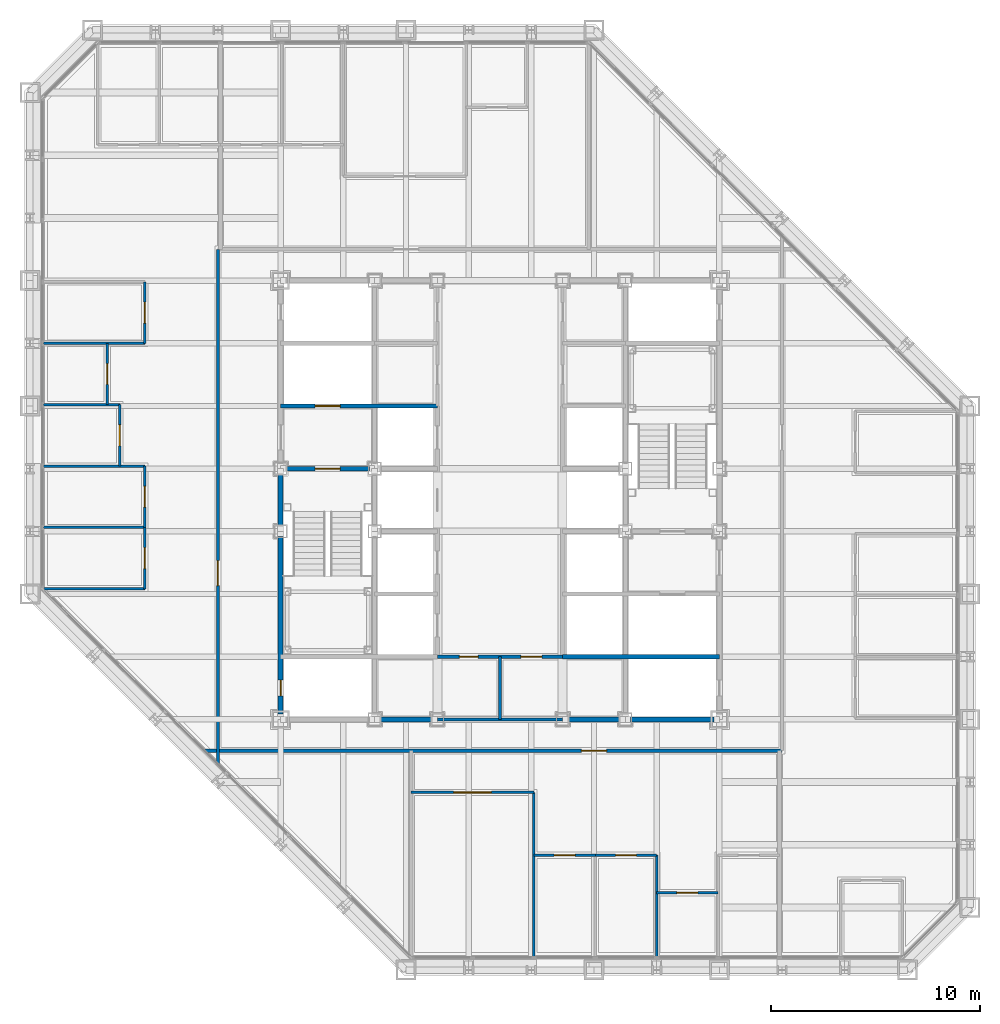
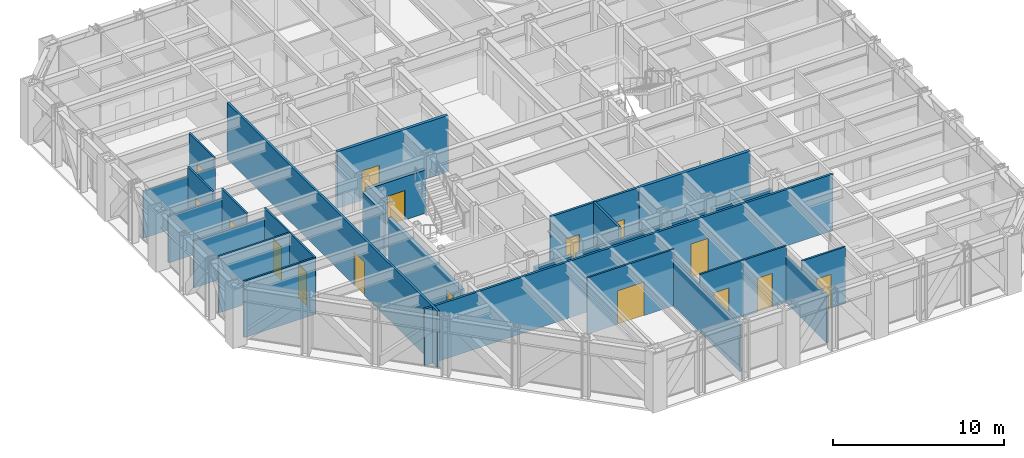
# One storey, part 10 of 16: 29 walls, 16 doors, 16 openings.
"""IFC4 building model written with IfcOpenShell, lengths in metres."""

import ifcopenshell
import ifcopenshell.guid

model = None  # the IFC model being written
_history = None  # IfcOwnerHistory: only IFC2X3 demands one
_inside = {}  # id of a spatial element -> (the spatial element, [elements in it])
_under = {}  # id of a project, library or spatial element -> (it, [spatial elements below it])
_declared = {}  # id of a project -> (the project, [libraries it declares])
_typed = {}  # id of a type object -> (the type object, [elements of that type])
_made_of = {}  # id of a material, layer set ... -> (it, [elements and type objects made of it])


def new_model(schema):
    """Start an empty IFC model of exactly this schema.

    Asked for "IFC4X3", IfcOpenShell would pick the latest addendum, in which some entities
    have other attributes; the version numbers below select the first issue.
    IFC2X3 requires an IfcOwnerHistory on every rooted entity: one is made here for all.
    """
    global model, _history
    if schema == "IFC4X3":
        model = ifcopenshell.file(schema_version=(4, 3, 0, 0))
    else:
        model = ifcopenshell.file(schema=schema)
    _inside.clear()
    _under.clear()
    _declared.clear()
    _typed.clear()
    _made_of.clear()
    _history = None
    if model.schema == "IFC2X3":
        org = make("IfcOrganization", Name="unknown")
        user = make(
            "IfcPersonAndOrganization",
            ThePerson=make("IfcPerson", FamilyName="unknown"),
            TheOrganization=org,
        )
        app = make(
            "IfcApplication",
            ApplicationDeveloper=org,
            Version="unknown",
            ApplicationFullName="unknown",
            ApplicationIdentifier="unknown",
        )
        _history = make(
            "IfcOwnerHistory",
            OwningUser=user,
            OwningApplication=app,
            ChangeAction="ADDED",
            CreationDate=0,
        )
    return model


def make(cls, **values):
    """One entity of the class cls with the attributes given. An attribute that is None is left unset."""
    return model.create_entity(
        cls, **{name: value for name, value in values.items() if value is not None}
    )


def rooted(cls, **values):
    """An entity with a GlobalId (a new one), such as an element, a storey or a relation."""
    return make(cls, GlobalId=ifcopenshell.guid.new(), OwnerHistory=_history, **values)


def si_unit(unit_type, name, prefix=None):
    """IfcSIUnit, for example si_unit("LENGTHUNIT", "METRE", prefix="MILLI")."""
    return make("IfcSIUnit", UnitType=unit_type, Prefix=prefix, Name=name)


def assignment(units):
    """IfcUnitAssignment: the units of a project."""
    return None if units is None else make("IfcUnitAssignment", Units=units)


def point(xyz):
    """IfcCartesianPoint."""
    return None if xyz is None else make("IfcCartesianPoint", Coordinates=xyz)


def direction(xyz):
    """IfcDirection."""
    return None if xyz is None else make("IfcDirection", DirectionRatios=xyz)


def frame(location, z_axis=None, x_axis=None):
    """IfcAxis2Placement3D, a coordinate frame: its origin and axes. An axis left out is left unset."""
    return make(
        "IfcAxis2Placement3D",
        Location=point(location),
        Axis=direction(z_axis),
        RefDirection=direction(x_axis),
    )


def frame_2d(location, x_axis=None):
    """IfcAxis2Placement2D, a coordinate frame in the plane: its origin and x axis."""
    return make(
        "IfcAxis2Placement2D", Location=point(location), RefDirection=direction(x_axis)
    )


def origin():
    """The frame at (0, 0, 0) with its axes left unset."""
    return frame((0.0, 0.0, 0.0))


def place(relative_to, where):
    """IfcLocalPlacement: puts the frame where relative to a parent placement (None: the world)."""
    return make(
        "IfcLocalPlacement", PlacementRelTo=relative_to, RelativePlacement=where
    )


def context(
    kind, dimensions, precision=None, world=None, true_north=None, identifier=None
):
    """IfcGeometricRepresentationContext, for example the 3D "Model" context."""
    return make(
        "IfcGeometricRepresentationContext",
        ContextIdentifier=identifier,
        ContextType=kind,
        CoordinateSpaceDimension=dimensions,
        Precision=precision,
        WorldCoordinateSystem=world,
        TrueNorth=true_north,
    )


def subcontext(parent, identifier, kind, view, scale=None):
    """IfcGeometricRepresentationSubContext, for example "Body" below "Model"."""
    return make(
        "IfcGeometricRepresentationSubContext",
        ContextIdentifier=identifier,
        ContextType=kind,
        ParentContext=parent,
        TargetScale=scale,
        TargetView=view,
    )


def project(units=None, contexts=None):
    """IfcProject with its units and contexts."""
    return rooted(
        "IfcProject",
        Name="project",
        RepresentationContexts=contexts,
        UnitsInContext=assignment(units),
    )


def spatial(cls, under=None, at=None, **own):
    """A site, building, storey or space (cls), placed at a placement, below another one or the project."""
    s = rooted(cls, ObjectPlacement=at, **own)
    if under is not None:
        _under.setdefault(under.id(), (under, []))[1].append(s)
    return s


def profile(cls, at=None, kind="AREA", **sizes):
    """A parametric profile (cls). Its sizes go by their IFC names, for example OverallWidth=200.0."""
    return make(cls, ProfileType=kind, Position=at, **sizes)


def rectangle(**sizes):
    """IfcRectangleProfileDef."""
    return profile("IfcRectangleProfileDef", **sizes)


def extrude(swept, where, along, depth):
    """IfcExtrudedAreaSolid: the profile swept, set in the frame where, extruded along a direction by depth."""
    return make(
        "IfcExtrudedAreaSolid",
        SweptArea=swept,
        Position=where,
        ExtrudedDirection=direction(along),
        Depth=depth,
    )


def shape(context_of_items, identifier, shape_type, items):
    """IfcShapeRepresentation: the items that make up one representation, for example the "Body"."""
    return make(
        "IfcShapeRepresentation",
        ContextOfItems=context_of_items,
        RepresentationIdentifier=identifier,
        RepresentationType=shape_type,
        Items=items,
    )


def material(Name=None, Category=None):
    """IfcMaterial."""
    return make("IfcMaterial", Name=Name, Category=Category)


def layer(
    of_material, thickness, ventilated=None, Name=None, Category=None, Priority=None
):
    """IfcMaterialLayer: one layer of a wall or slab, of a material (None: an air gap)."""
    return make(
        "IfcMaterialLayer",
        Material=of_material,
        LayerThickness=thickness,
        IsVentilated=ventilated,
        Name=Name,
        Category=Category,
        Priority=Priority,
    )


def layer_set(layers, Name=None):
    """IfcMaterialLayerSet."""
    return make("IfcMaterialLayerSet", MaterialLayers=layers, LayerSetName=Name)


def made_of(thing, what):
    """Note that an element or type object is made of a material, layer set ...; save() writes the relation."""
    if what is not None:
        _made_of.setdefault(what.id(), (what, []))[1].append(thing)
    return thing


def type_object(cls, material=None, **own):
    """A type object (cls), such as IfcWallType, which elements share."""
    return made_of(rooted(cls, **own), material)


def element(
    cls,
    number,
    at=None,
    inside=None,
    cuts=None,
    type_object=None,
    material=None,
    context=None,
    identifier="Body",
    shape_type=None,
    held_by="IfcProductDefinitionShape",
    body=None,
    shapes=None,
    **own,
):
    """One element of the class cls, such as IfcWall. Its Tag is "e" and its number.

    at: its placement. inside: the storey or other place that contains it. cuts: it is an
    opening in that element (IfcRelVoidsElement). A single representation is given by context,
    identifier, shape_type and body (its items); several are given by shapes. held_by: the class
    of the entity that holds the representations. save() writes the other relations.
    """
    e = rooted(cls, Tag="e%d" % number, ObjectPlacement=at, **own)
    if body is not None:
        shapes = [shape(context, identifier, shape_type, body)]
    if shapes is not None:
        e.Representation = make(held_by, Representations=shapes)
    if inside is not None:
        _inside.setdefault(inside.id(), (inside, []))[1].append(e)
    if cuts is not None:
        rooted(
            "IfcRelVoidsElement", RelatingBuildingElement=cuts, RelatedOpeningElement=e
        )
    if type_object is not None:
        _typed.setdefault(type_object.id(), (type_object, []))[1].append(e)
    return made_of(e, material)


def fill(opening, filler):
    """IfcRelFillsElement: the door or window that sits in an opening."""
    return rooted(
        "IfcRelFillsElement",
        RelatingOpeningElement=opening,
        RelatedBuildingElement=filler,
    )


def aggregate(whole, parts):
    """IfcRelAggregates: a whole, such as a stair, and the parts it consists of."""
    return rooted("IfcRelAggregates", RelatingObject=whole, RelatedObjects=parts)


def save(model, path):
    """Write the relations noted so far, then the file.

    IfcRelAggregates (storeys below a building ...), IfcRelContainedInSpatialStructure (elements
    in a storey), IfcRelDefinesByType, IfcRelAssociatesMaterial and IfcRelDeclares: one each for
    every whole, place, type object, material and project.
    """
    for whole, parts in _under.values():
        aggregate(whole, parts)
    for where, things in _inside.values():
        rooted(
            "IfcRelContainedInSpatialStructure",
            RelatedElements=things,
            RelatingStructure=where,
        )
    for kind, things in _typed.values():
        rooted("IfcRelDefinesByType", RelatedObjects=things, RelatingType=kind)
    for what, things in _made_of.values():
        rooted("IfcRelAssociatesMaterial", RelatedObjects=things, RelatingMaterial=what)
    for by, libraries in _declared.values():
        rooted("IfcRelDeclares", RelatingContext=by, RelatedDefinitions=libraries)
    model.write(path)


model = new_model("IFC4")

# Units and contexts
model_context = context("Model", 3, precision=1e-05, world=origin(), true_north=direction((0.0, 1.0)))
body_context = subcontext(model_context, "Body", "Model", "MODEL_VIEW")
ifc_project = project(units=[si_unit("LENGTHUNIT", "METRE"), si_unit("AREAUNIT", "SQUARE_METRE"), si_unit("VOLUMEUNIT", "CUBIC_METRE"), si_unit("PLANEANGLEUNIT", "RADIAN"), si_unit("MASSUNIT", "GRAM", prefix="KILO")], contexts=[model_context])

# Site, building, storey
site_placement = place(None, origin())
site = spatial("IfcSite", under=ifc_project, at=site_placement, CompositionType="ELEMENT")
building_placement = place(site_placement, origin())
building = spatial("IfcBuilding", under=site, at=building_placement, Name="Chuquiago Exchange Tower", CompositionType="ELEMENT")
storey_placement = place(building_placement, frame((0.0, 0.0, 140.39990234375)))
storey = spatial("IfcBuildingStorey", under=building, at=storey_placement, Name="L30", CompositionType="ELEMENT", Elevation=140.39990234375)

# Wall, opening, door
ifc_material_1 = material(Name="Concrete masonry, fully grouted", Category="masonry")
ifc_layer_1 = layer(ifc_material_1, 0.25)
ifc_layer_set_1 = layer_set([ifc_layer_1], Name="W1 core wall 250")
wall_type_1 = type_object("IfcWallType", Name="W1 core wall 250", PredefinedType="SOLIDWALL", material=ifc_layer_set_1)
wall_1_placement = place(storey_placement, frame((12.0, 12.25, 0.0), z_axis=(0.0, 0.0, 1.0), x_axis=(0.0, 1.0, 0.0)))
wall_1 = element("IfcWall", 1, at=wall_1_placement, inside=storey, type_object=wall_type_1, Name="CW-L30-00-0", PredefinedType="SOLIDWALL", context=body_context, shape_type="SweptSolid", body=[
    extrude(rectangle(XDim=8.5, YDim=0.25, at=frame_2d((4.25, 0.0))), origin(), (0.0, 0.0, 1.0), 3.113037109375),
])
opening_1_placement = place(wall_1_placement, frame((0.875, 0.0, 0.0)))
opening_1 = element("IfcOpeningElement", 2, at=opening_1_placement, cuts=wall_1, Name="Opening L30-007", PredefinedType="OPENING", context=body_context, shape_type="SweptSolid", body=[
    extrude(rectangle(XDim=0.75, YDim=2.10009765625, at=frame_2d((0.375, 1.050048828125))), frame((0.0, 0.135009765625, 0.0), z_axis=(0.0, -1.0, 0.0), x_axis=(1.0, 0.0, 0.0)), (0.0, 0.0, 1.0), 0.27001953125),
])
ifc_material_2 = material(Name="Steel door, painted", Category="steel")
door_type_1 = type_object("IfcDoorType", Name="D6 riser access door 750x2100", OperationType="SINGLE_SWING_LEFT", PredefinedType="DOOR", material=ifc_material_2)
door_1_placement = place(opening_1_placement, origin())
door_1 = element("IfcDoor", 3, at=door_1_placement, inside=storey, type_object=door_type_1, Name="Riser RW1 door", OperationType="SINGLE_SWING_LEFT", OverallHeight=2.10009765625, OverallWidth=0.75, PredefinedType="DOOR", context=body_context, shape_type="SweptSolid", body=[
    extrude(rectangle(XDim=0.75, YDim=2.10009765625, at=frame_2d((0.375, 1.050048828125))), frame((0.0, 0.02490234375, 0.0), z_axis=(0.0, -1.0, 0.0), x_axis=(1.0, 0.0, 0.0)), (0.0, 0.0, 1.0), 0.050048828125),
])
fill(opening_1, door_1)

# Walls
wall_2_placement = place(storey_placement, frame((12.0, 21.25, 0.0), z_axis=(0.0, 0.0, 1.0), x_axis=(0.0, 1.0, 0.0)))
element("IfcWall", 4, at=wall_2_placement, inside=storey, type_object=wall_type_1, Name="CW-L30-00-1", PredefinedType="SOLIDWALL", context=body_context, shape_type="SweptSolid", body=[
    extrude(rectangle(XDim=2.5, YDim=0.25, at=frame_2d((1.25, 0.0))), origin(), (0.0, 0.0, 1.0), 3.113037109375),
])
for number, where, z_axis, x_axis, name in (
    (5, (16.75, 12.0, 0.0), (0.0, 0.0, 1.0), (1.0, 0.0, 0.0), "CW-L30-01-1"),
    (6, (25.75, 12.0, 0.0), (0.0, 0.0, 1.0), (1.0, 0.0, 0.0), "CW-L30-02-0"),
):
    element("IfcWall", number, at=place(storey_placement, frame(where, z_axis=z_axis, x_axis=x_axis)), inside=storey, type_object=wall_type_1, Name=name, PredefinedType="SOLIDWALL", context=body_context, shape_type="SweptSolid", body=[
        extrude(rectangle(XDim=2.5, YDim=0.25, at=frame_2d((1.25, 0.0))), origin(), (0.0, 0.0, 1.0), 3.181640625),
    ])
wall_3_placement = place(storey_placement, frame((28.75, 12.0, 0.0), z_axis=(0.0, 0.0, 1.0), x_axis=(1.0, 0.0, 0.0)))
element("IfcWall", 7, at=wall_3_placement, inside=storey, type_object=wall_type_1, Name="CW-L30-02-1", PredefinedType="SOLIDWALL", context=body_context, shape_type="SweptSolid", body=[
    extrude(rectangle(XDim=4.0, YDim=0.25, at=frame_2d((2.0, 0.0))), origin(), (0.0, 0.0, 1.0), 3.181640625),
])

# Wall, opening, door
ifc_material_3 = material(Name="Gypsum board on steel studs, acoustic insulation", Category="steel")
ifc_layer_2 = layer(ifc_material_3, 0.14990234375)
ifc_layer_set_2 = layer_set([ifc_layer_2], Name="W11 corridor wall 150")
wall_type_2 = type_object("IfcWallType", Name="W11 corridor wall 150", PredefinedType="PARTITIONING", material=ifc_layer_set_2)
wall_4_placement = place(storey_placement, frame((8.385498046875, 10.5, 0.0), z_axis=(0.0, 0.0, 1.0), x_axis=(1.0, 0.0, 0.0)))
wall_4 = element("IfcWall", 8, at=wall_4_placement, inside=storey, type_object=wall_type_2, Name="PW-L30-CS", PredefinedType="PARTITIONING", context=body_context, shape_type="SweptSolid", body=[
    extrude(rectangle(XDim=27.614501953125, YDim=0.14990234375, at=frame_2d((13.80712890625, 0.0))), origin(), (0.0, 0.0, 1.0), 4.0400390625),
])
opening_2_placement = place(wall_4_placement, frame((18.014404296875, 0.0, 0.0)))
opening_2 = element("IfcOpeningElement", 9, at=opening_2_placement, cuts=wall_4, Name="Opening L30-042", PredefinedType="OPENING", context=body_context, shape_type="SweptSolid", body=[
    extrude(rectangle(XDim=1.199951171875, YDim=2.39990234375, at=frame_2d((0.60009765625, 1.199951171875))), frame((0.0, 0.0849609375, 0.0), z_axis=(0.0, -1.0, 0.0), x_axis=(1.0, 0.0, 0.0)), (0.0, 0.0, 1.0), 0.169921875),
])
ifc_material_4 = material(Name="Timber door, laminate faced", Category="wood")
door_type_2 = type_object("IfcDoorType", Name="D13 suite entrance door 1200x2400", OperationType="SINGLE_SWING_LEFT", PredefinedType="DOOR", material=ifc_material_4)
door_2_placement = place(opening_2_placement, frame((1.199951171875, 0.0, 0.0), z_axis=(0.0, 0.0, 1.0), x_axis=(-1.0, 0.0, 0.0)))
door_2 = element("IfcDoor", 10, at=door_2_placement, inside=storey, type_object=door_type_2, Name="South suite entrance door", OperationType="SINGLE_SWING_LEFT", OverallHeight=2.39990234375, OverallWidth=1.199951171875, PredefinedType="DOOR", context=body_context, shape_type="SweptSolid", body=[
    extrude(rectangle(XDim=1.199951171875, YDim=2.39990234375, at=frame_2d((0.60009765625, 1.199951171875))), frame((0.0, 0.02490234375, 0.0), z_axis=(0.0, -1.0, 0.0), x_axis=(1.0, 0.0, 0.0)), (0.0, 0.0, 1.0), 0.050048828125),
])
fill(opening_2, door_2)

wall_5_placement = place(storey_placement, frame((9.0, 9.885498046875, 0.0), z_axis=(0.0, 0.0, 1.0), x_axis=(0.0, 1.0, 0.0)))
wall_5 = element("IfcWall", 11, at=wall_5_placement, inside=storey, type_object=wall_type_2, Name="PW-L30-CW", PredefinedType="PARTITIONING", context=body_context, shape_type="SweptSolid", body=[
    extrude(rectangle(XDim=24.614501953125, YDim=0.14990234375, at=frame_2d((12.30712890625, 0.0))), origin(), (0.0, 0.0, 1.0), 4.0400390625),
])
opening_3_placement = place(wall_5_placement, frame((8.514404296875, 0.0, 0.0)))
opening_3 = element("IfcOpeningElement", 12, at=opening_3_placement, cuts=wall_5, Name="Opening L30-044", PredefinedType="OPENING", context=body_context, shape_type="SweptSolid", body=[
    extrude(rectangle(XDim=1.199951171875, YDim=2.39990234375, at=frame_2d((0.60009765625, 1.199951171875))), frame((0.0, 0.0849609375, 0.0), z_axis=(0.0, -1.0, 0.0), x_axis=(1.0, 0.0, 0.0)), (0.0, 0.0, 1.0), 0.169921875),
])
door_3_placement = place(opening_3_placement, origin())
door_3 = element("IfcDoor", 13, at=door_3_placement, inside=storey, type_object=door_type_2, Name="West suite entrance door", OperationType="SINGLE_SWING_LEFT", OverallHeight=2.39990234375, OverallWidth=1.199951171875, PredefinedType="DOOR", context=body_context, shape_type="SweptSolid", body=[
    extrude(rectangle(XDim=1.199951171875, YDim=2.39990234375, at=frame_2d((0.60009765625, 1.199951171875))), frame((0.0, 0.02490234375, 0.0), z_axis=(0.0, -1.0, 0.0), x_axis=(1.0, 0.0, 0.0)), (0.0, 0.0, 1.0), 0.050048828125),
])
fill(opening_3, door_3)

# Wall
ifc_material_5 = material(Name="Concrete masonry, fully grouted", Category="masonry")
ifc_layer_3 = layer(ifc_material_5, 0.199951171875)
ifc_layer_set_3 = layer_set([ifc_layer_3], Name="W2 shaft wall 200")
wall_type_3 = type_object("IfcWallType", Name="W2 shaft wall 200", PredefinedType="SOLIDWALL", material=ifc_layer_set_3)
wall_6_placement = place(storey_placement, frame((25.5, 15.0, 0.0), z_axis=(0.0, 0.0, 1.0), x_axis=(1.0, 0.0, 0.0)))
element("IfcWall", 14, at=wall_6_placement, inside=storey, type_object=wall_type_3, Name="CW-L30-04-0", PredefinedType="SOLIDWALL", context=body_context, shape_type="SweptSolid", body=[
    extrude(rectangle(XDim=7.5, YDim=0.199951171875, at=frame_2d((3.75, 0.0))), origin(), (0.0, 0.0, 1.0), 4.0400390625),
])

# Wall, opening, door
wall_7_placement = place(storey_placement, frame((12.25, 24.0, 0.0), z_axis=(0.0, 0.0, 1.0), x_axis=(1.0, 0.0, 0.0)))
wall_7 = element("IfcWall", 15, at=wall_7_placement, inside=storey, type_object=wall_type_3, Name="CW-L30-05-0", PredefinedType="SOLIDWALL", context=body_context, shape_type="SweptSolid", body=[
    extrude(rectangle(XDim=4.0, YDim=0.199951171875, at=frame_2d((2.0, 0.0))), origin(), (0.0, 0.0, 1.0), 3.090087890625),
])
opening_4_placement = place(wall_7_placement, frame((1.39990234375, 0.0, 0.0)))
opening_4 = element("IfcOpeningElement", 16, at=opening_4_placement, cuts=wall_7, Name="Opening L30-001", PredefinedType="OPENING", context=body_context, shape_type="SweptSolid", body=[
    extrude(rectangle(XDim=1.199951171875, YDim=2.10009765625, at=frame_2d((0.60009765625, 1.050048828125))), frame((0.0, 0.10986328125, 0.0), z_axis=(0.0, -1.0, 0.0), x_axis=(1.0, 0.0, 0.0)), (0.0, 0.0, 1.0), 0.219970703125),
])
ifc_material_6 = material(Name="Steel door, painted", Category="steel")
door_type_3 = type_object("IfcDoorType", Name="D4 stair door 1200x2100", OperationType="SINGLE_SWING_LEFT", PredefinedType="DOOR", material=ifc_material_6)
door_4_placement = place(opening_4_placement, frame((1.199951171875, 0.0, 0.0), z_axis=(0.0, 0.0, 1.0), x_axis=(-1.0, 0.0, 0.0)))
door_4 = element("IfcDoor", 17, at=door_4_placement, inside=storey, type_object=door_type_3, Name="Stair ST1 door", OperationType="SINGLE_SWING_RIGHT", OverallHeight=2.10009765625, OverallWidth=1.199951171875, PredefinedType="DOOR", context=body_context, shape_type="SweptSolid", body=[
    extrude(rectangle(XDim=1.199951171875, YDim=2.10009765625, at=frame_2d((0.60009765625, 1.050048828125))), frame((0.0, 0.02490234375, 0.0), z_axis=(0.0, -1.0, 0.0), x_axis=(1.0, 0.0, 0.0)), (0.0, 0.0, 1.0), 0.050048828125),
])
fill(opening_4, door_4)

wall_8_placement = place(storey_placement, frame((12.0, 27.0, 0.0), z_axis=(0.0, 0.0, 1.0), x_axis=(1.0, 0.0, 0.0)))
wall_8 = element("IfcWall", 18, at=wall_8_placement, inside=storey, type_object=wall_type_3, Name="CW-L30-07-0", PredefinedType="SOLIDWALL", context=body_context, shape_type="SweptSolid", body=[
    extrude(rectangle(XDim=7.5, YDim=0.199951171875, at=frame_2d((3.75, 0.0))), origin(), (0.0, 0.0, 1.0), 4.0400390625),
])
opening_5_placement = place(wall_8_placement, frame((1.64990234375, 0.0, 0.0)))
opening_5 = element("IfcOpeningElement", 19, at=opening_5_placement, cuts=wall_8, Name="Opening L30-005", PredefinedType="OPENING", context=body_context, shape_type="SweptSolid", body=[
    extrude(rectangle(XDim=1.199951171875, YDim=2.10009765625, at=frame_2d((0.60009765625, 1.050048828125))), frame((0.0, 0.10986328125, 0.0), z_axis=(0.0, -1.0, 0.0), x_axis=(1.0, 0.0, 0.0)), (0.0, 0.0, 1.0), 0.219970703125),
])
ifc_material_7 = material(Name="Stainless steel lift landing door", Category="steel")
door_type_4 = type_object("IfcDoorType", Name="LD2 firefighting lift landing door 1200x2100", OperationType="DOUBLE_DOOR_SLIDING", PredefinedType="DOOR", material=ifc_material_7)
door_5_placement = place(opening_5_placement, origin())
door_5 = element("IfcDoor", 20, at=door_5_placement, inside=storey, type_object=door_type_4, Name="Firefighting lift FL1 landing door", OperationType="DOUBLE_DOOR_SLIDING", OverallHeight=2.10009765625, OverallWidth=1.199951171875, PredefinedType="DOOR", context=body_context, shape_type="SweptSolid", body=[
    extrude(rectangle(XDim=1.199951171875, YDim=2.10009765625, at=frame_2d((0.60009765625, 1.050048828125))), frame((0.0, 0.02490234375, 0.0), z_axis=(0.0, -1.0, 0.0), x_axis=(1.0, 0.0, 0.0)), (0.0, 0.0, 1.0), 0.050048828125),
])
fill(opening_5, door_5)

# Wall, openings, doors
ifc_material_8 = material(Name="Gypsum board on steel studs", Category="steel")
ifc_layer_4 = layer(ifc_material_8, 0.14990234375)
ifc_layer_set_4 = layer_set([ifc_layer_4], Name="W3 core partition 150")
wall_type_4 = type_object("IfcWallType", Name="W3 core partition 150", PredefinedType="PARTITIONING", material=ifc_layer_set_4)
wall_9_placement = place(storey_placement, frame((19.5, 15.0, 0.0), z_axis=(0.0, 0.0, 1.0), x_axis=(1.0, 0.0, 0.0)))
wall_9 = element("IfcWall", 21, at=wall_9_placement, inside=storey, type_object=wall_type_4, Name="CW-L30-TF", PredefinedType="PARTITIONING", context=body_context, shape_type="SweptSolid", body=[
    extrude(rectangle(XDim=6.0, YDim=0.14990234375, at=frame_2d((3.0, 0.0))), origin(), (0.0, 0.0, 1.0), 4.0400390625),
])
opening_6_placement = place(wall_9_placement, frame((4.0, 0.0, 0.0)))
opening_6 = element("IfcOpeningElement", 22, at=opening_6_placement, cuts=wall_9, Name="Opening L30-015", PredefinedType="OPENING", context=body_context, shape_type="SweptSolid", body=[
    extrude(rectangle(XDim=1.0, YDim=2.10009765625, at=frame_2d((0.5, 1.050048828125))), frame((0.0, 0.0849609375, 0.0), z_axis=(0.0, -1.0, 0.0), x_axis=(1.0, 0.0, 0.0)), (0.0, 0.0, 1.0), 0.169921875),
])
opening_7_placement = place(wall_9_placement, frame((1.050048828125, 0.0, 0.0)))
opening_7 = element("IfcOpeningElement", 23, at=opening_7_placement, cuts=wall_9, Name="Opening L30-016", PredefinedType="OPENING", context=body_context, shape_type="SweptSolid", body=[
    extrude(rectangle(XDim=0.89990234375, YDim=2.10009765625, at=frame_2d((0.449951171875, 1.050048828125))), frame((0.0, 0.0849609375, 0.0), z_axis=(0.0, -1.0, 0.0), x_axis=(1.0, 0.0, 0.0)), (0.0, 0.0, 1.0), 0.169921875),
])
ifc_material_9 = material(Name="Timber door, laminate faced", Category="wood")
door_type_5 = type_object("IfcDoorType", Name="D7 toilet door 900x2100", OperationType="SINGLE_SWING_LEFT", PredefinedType="DOOR", material=ifc_material_9)
door_6_placement = place(opening_7_placement, origin())
door_6 = element("IfcDoor", 24, at=door_6_placement, inside=storey, type_object=door_type_5, Name="Cleaner door", OperationType="SINGLE_SWING_LEFT", OverallHeight=2.10009765625, OverallWidth=0.89990234375, PredefinedType="DOOR", context=body_context, shape_type="SweptSolid", body=[
    extrude(rectangle(XDim=0.89990234375, YDim=2.10009765625, at=frame_2d((0.449951171875, 1.050048828125))), frame((0.0, 0.02490234375, 0.0), z_axis=(0.0, -1.0, 0.0), x_axis=(1.0, 0.0, 0.0)), (0.0, 0.0, 1.0), 0.050048828125),
])
fill(opening_7, door_6)
ifc_material_10 = material(Name="Timber door, laminate faced", Category="wood")
door_type_6 = type_object("IfcDoorType", Name="D8 accessible toilet door 1000x2100", OperationType="SLIDING_TO_LEFT", PredefinedType="DOOR", material=ifc_material_10)
door_7_placement = place(opening_6_placement, origin())
door_7 = element("IfcDoor", 25, at=door_7_placement, inside=storey, type_object=door_type_6, Name="Accessible WC door", OperationType="SLIDING_TO_LEFT", OverallHeight=2.10009765625, OverallWidth=1.0, PredefinedType="DOOR", context=body_context, shape_type="SweptSolid", body=[
    extrude(rectangle(XDim=1.0, YDim=2.10009765625, at=frame_2d((0.5, 1.050048828125))), frame((0.0, 0.02490234375, 0.0), z_axis=(0.0, -1.0, 0.0), x_axis=(1.0, 0.0, 0.0)), (0.0, 0.0, 1.0), 0.050048828125),
])
fill(opening_6, door_7)

# Walls
wall_10_placement = place(storey_placement, frame((22.5, 15.0, 0.0), z_axis=(0.0, 0.0, 1.0), x_axis=(0.0, -1.0, 0.0)))
element("IfcWall", 26, at=wall_10_placement, inside=storey, type_object=wall_type_4, Name="CW-L30-TM", PredefinedType="PARTITIONING", context=body_context, shape_type="SweptSolid", body=[
    extrude(rectangle(XDim=3.0, YDim=0.14990234375, at=frame_2d((1.5, 0.0))), origin(), (0.0, 0.0, 1.0), 4.0400390625),
])
wall_11_placement = place(storey_placement, frame((19.5, 12.0, 0.0), z_axis=(0.0, 0.0, 1.0), x_axis=(1.0, 0.0, 0.0)))
element("IfcWall", 27, at=wall_11_placement, inside=storey, type_object=wall_type_4, Name="CW-L30-TB", PredefinedType="PARTITIONING", context=body_context, shape_type="SweptSolid", body=[
    extrude(rectangle(XDim=6.0, YDim=0.14990234375, at=frame_2d((3.0, 0.0))), origin(), (0.0, 0.0, 1.0), 3.181640625),
])
ifc_material_11 = material(Name="Gypsum board on steel studs", Category="steel")
ifc_layer_5 = layer(ifc_material_11, 0.1201171875)
ifc_layer_set_5 = layer_set([ifc_layer_5], Name="W4 partition 120")
wall_type_5 = type_object("IfcWallType", Name="W4 partition 120", PredefinedType="PARTITIONING", material=ifc_layer_set_5)
wall_12_placement = place(storey_placement, frame((24.124267578125, 0.652587890625, 0.0), z_axis=(0.0, 0.0, 1.0), x_axis=(0.0, 1.0, 0.0)))
element("IfcWall", 28, at=wall_12_placement, inside=storey, type_object=wall_type_5, Name="PW-L30-S02412", PredefinedType="PARTITIONING", context=body_context, shape_type="SweptSolid", body=[
    extrude(rectangle(XDim=7.847412109375, YDim=0.1201171875, at=frame_2d((3.923828125, 0.0))), origin(), (0.0, 0.0, 1.0), 3.35693359375),
])
wall_13_placement = place(storey_placement, frame((30.0, 0.652587890625, 0.0), z_axis=(0.0, 0.0, 1.0), x_axis=(0.0, 1.0, 0.0)))
element("IfcWall", 29, at=wall_13_placement, inside=storey, type_object=wall_type_5, Name="PW-L30-S03000", PredefinedType="PARTITIONING", context=body_context, shape_type="SweptSolid", body=[
    extrude(rectangle(XDim=4.847412109375, YDim=0.1201171875, at=frame_2d((2.423828125, 0.0))), origin(), (0.0, 0.0, 1.0), 3.35693359375),
])

# Wall, opening, door
wall_14_placement = place(storey_placement, frame((18.24853515625, 8.5, 0.0), z_axis=(0.0, 0.0, 1.0), x_axis=(1.0, 0.0, 0.0)))
wall_14 = element("IfcWall", 30, at=wall_14_placement, inside=storey, type_object=wall_type_5, Name="PW-L30-SF01825", PredefinedType="PARTITIONING", context=body_context, shape_type="SweptSolid", body=[
    extrude(rectangle(XDim=5.875732421875, YDim=0.1201171875, at=frame_2d((2.93798828125, 0.0))), origin(), (0.0, 0.0, 1.0), 4.0400390625),
])
opening_8_placement = place(wall_14_placement, frame((2.037841796875, 0.0, 0.0)))
opening_8 = element("IfcOpeningElement", 31, at=opening_8_placement, cuts=wall_14, Name="Opening L30-021", PredefinedType="OPENING", context=body_context, shape_type="SweptSolid", body=[
    extrude(rectangle(XDim=1.800048828125, YDim=2.39990234375, at=frame_2d((0.89990234375, 1.199951171875))), frame((0.0, 0.070068359375, 0.0), z_axis=(0.0, -1.0, 0.0), x_axis=(1.0, 0.0, 0.0)), (0.0, 0.0, 1.0), 0.14013671875),
])
ifc_material_12 = material(Name="Timber door pair, laminate faced", Category="wood")
door_type_7 = type_object("IfcDoorType", Name="D15 double room door 1800x2400", OperationType="DOUBLE_DOOR_DOUBLE_SWING", PredefinedType="DOOR", material=ifc_material_12)
door_8_placement = place(opening_8_placement, origin())
door_8 = element("IfcDoor", 32, at=door_8_placement, inside=storey, type_object=door_type_7, Name="Training room door", OperationType="DOUBLE_DOOR_DOUBLE_SWING", OverallHeight=2.39990234375, OverallWidth=1.800048828125, PredefinedType="DOOR", context=body_context, shape_type="SweptSolid", body=[
    extrude(rectangle(XDim=1.800048828125, YDim=2.39990234375, at=frame_2d((0.89990234375, 1.199951171875))), frame((0.0, 0.02490234375, 0.0), z_axis=(0.0, -1.0, 0.0), x_axis=(1.0, 0.0, 0.0)), (0.0, 0.0, 1.0), 0.050048828125),
])
fill(opening_8, door_8)

wall_15_placement = place(storey_placement, frame((24.124267578125, 5.5, 0.0), z_axis=(0.0, 0.0, 1.0), x_axis=(1.0, 0.0, 0.0)))
wall_15 = element("IfcWall", 33, at=wall_15_placement, inside=storey, type_object=wall_type_5, Name="PW-L30-SF02412", PredefinedType="PARTITIONING", context=body_context, shape_type="SweptSolid", body=[
    extrude(rectangle(XDim=2.937744140625, YDim=0.1201171875, at=frame_2d((1.46875, 0.0))), origin(), (0.0, 0.0, 1.0), 4.0400390625),
])
opening_9_placement = place(wall_15_placement, frame((0.968994140625, 0.0, 0.0)))
opening_9 = element("IfcOpeningElement", 34, at=opening_9_placement, cuts=wall_15, Name="Opening L30-022", PredefinedType="OPENING", context=body_context, shape_type="SweptSolid", body=[
    extrude(rectangle(XDim=1.0, YDim=2.39990234375, at=frame_2d((0.5, 1.199951171875))), frame((0.0, 0.070068359375, 0.0), z_axis=(0.0, -1.0, 0.0), x_axis=(1.0, 0.0, 0.0)), (0.0, 0.0, 1.0), 0.14013671875),
])
ifc_material_13 = material(Name="Timber door, laminate faced", Category="wood")
door_type_8 = type_object("IfcDoorType", Name="D9 room door 1000x2400", OperationType="SINGLE_SWING_LEFT", PredefinedType="DOOR", material=ifc_material_13)
door_9_placement = place(opening_9_placement, frame((1.0, 0.0, 0.0), z_axis=(0.0, 0.0, 1.0), x_axis=(-1.0, 0.0, 0.0)))
door_9 = element("IfcDoor", 35, at=door_9_placement, inside=storey, type_object=door_type_8, Name="Office door", OperationType="SINGLE_SWING_LEFT", OverallHeight=2.39990234375, OverallWidth=1.0, PredefinedType="DOOR", context=body_context, shape_type="SweptSolid", body=[
    extrude(rectangle(XDim=1.0, YDim=2.39990234375, at=frame_2d((0.5, 1.199951171875))), frame((0.0, 0.02490234375, 0.0), z_axis=(0.0, -1.0, 0.0), x_axis=(1.0, 0.0, 0.0)), (0.0, 0.0, 1.0), 0.050048828125),
])
fill(opening_9, door_9)

wall_16_placement = place(storey_placement, frame((27.06201171875, 5.5, 0.0), z_axis=(0.0, 0.0, 1.0), x_axis=(1.0, 0.0, 0.0)))
wall_16 = element("IfcWall", 36, at=wall_16_placement, inside=storey, type_object=wall_type_5, Name="PW-L30-SF02706", PredefinedType="PARTITIONING", context=body_context, shape_type="SweptSolid", body=[
    extrude(rectangle(XDim=2.93798828125, YDim=0.1201171875, at=frame_2d((1.468994140625, 0.0))), origin(), (0.0, 0.0, 1.0), 4.0400390625),
])
opening_10_placement = place(wall_16_placement, frame((0.968994140625, 0.0, 0.0)))
opening_10 = element("IfcOpeningElement", 37, at=opening_10_placement, cuts=wall_16, Name="Opening L30-023", PredefinedType="OPENING", context=body_context, shape_type="SweptSolid", body=[
    extrude(rectangle(XDim=1.0, YDim=2.39990234375, at=frame_2d((0.5, 1.199951171875))), frame((0.0, 0.070068359375, 0.0), z_axis=(0.0, -1.0, 0.0), x_axis=(1.0, 0.0, 0.0)), (0.0, 0.0, 1.0), 0.14013671875),
])
door_10_placement = place(opening_10_placement, frame((1.0, 0.0, 0.0), z_axis=(0.0, 0.0, 1.0), x_axis=(-1.0, 0.0, 0.0)))
door_10 = element("IfcDoor", 38, at=door_10_placement, inside=storey, type_object=door_type_8, Name="Office door", OperationType="SINGLE_SWING_RIGHT", OverallHeight=2.39990234375, OverallWidth=1.0, PredefinedType="DOOR", context=body_context, shape_type="SweptSolid", body=[
    extrude(rectangle(XDim=1.0, YDim=2.39990234375, at=frame_2d((0.5, 1.199951171875))), frame((0.0, 0.02490234375, 0.0), z_axis=(0.0, -1.0, 0.0), x_axis=(1.0, 0.0, 0.0)), (0.0, 0.0, 1.0), 0.050048828125),
])
fill(opening_10, door_10)

wall_17_placement = place(storey_placement, frame((30.0, 3.699951171875, 0.0), z_axis=(0.0, 0.0, 1.0), x_axis=(1.0, 0.0, 0.0)))
wall_17 = element("IfcWall", 39, at=wall_17_placement, inside=storey, type_object=wall_type_5, Name="PW-L30-SF03000", PredefinedType="PARTITIONING", context=body_context, shape_type="SweptSolid", body=[
    extrude(rectangle(XDim=2.93798828125, YDim=0.1201171875, at=frame_2d((1.468994140625, 0.0))), origin(), (0.0, 0.0, 1.0), 4.0400390625),
])
opening_11_placement = place(wall_17_placement, frame((0.968994140625, 0.0, 0.0)))
opening_11 = element("IfcOpeningElement", 40, at=opening_11_placement, cuts=wall_17, Name="Opening L30-024", PredefinedType="OPENING", context=body_context, shape_type="SweptSolid", body=[
    extrude(rectangle(XDim=1.0, YDim=2.39990234375, at=frame_2d((0.5, 1.199951171875))), frame((0.0, 0.070068359375, 0.0), z_axis=(0.0, -1.0, 0.0), x_axis=(1.0, 0.0, 0.0)), (0.0, 0.0, 1.0), 0.14013671875),
])
ifc_material_14 = material(Name="Timber frame door, full height glazed panel", Category="wood")
door_type_9 = type_object("IfcDoorType", Name="D14 glazed meeting room door 1000x2400", OperationType="SINGLE_SWING_LEFT", PredefinedType="DOOR", material=ifc_material_14)
door_11_placement = place(opening_11_placement, frame((1.0, 0.0, 0.0), z_axis=(0.0, 0.0, 1.0), x_axis=(-1.0, 0.0, 0.0)))
door_11 = element("IfcDoor", 41, at=door_11_placement, inside=storey, type_object=door_type_9, Name="Focus room door", OperationType="SINGLE_SWING_RIGHT", OverallHeight=2.39990234375, OverallWidth=1.0, PredefinedType="DOOR", context=body_context, shape_type="SweptSolid", body=[
    extrude(rectangle(XDim=1.0, YDim=2.39990234375, at=frame_2d((0.5, 1.199951171875))), frame((0.0, 0.02490234375, 0.0), z_axis=(0.0, -1.0, 0.0), x_axis=(1.0, 0.0, 0.0)), (0.0, 0.0, 1.0), 0.050048828125),
])
fill(opening_11, door_11)

# Walls
wall_18_placement = place(storey_placement, frame((0.666015625, 18.24853515625, 0.0), z_axis=(0.0, 0.0, 1.0), x_axis=(1.0, 0.0, 0.0)))
element("IfcWall", 42, at=wall_18_placement, inside=storey, type_object=wall_type_5, Name="PW-L30-W01825", PredefinedType="PARTITIONING", context=body_context, shape_type="SweptSolid", body=[
    extrude(rectangle(XDim=4.833984375, YDim=0.1201171875, at=frame_2d((2.4169921875, 0.0))), origin(), (0.0, 0.0, 1.0), 4.0400390625),
])
wall_19_placement = place(storey_placement, frame((0.652587890625, 21.186279296875, 0.0), z_axis=(0.0, 0.0, 1.0), x_axis=(1.0, 0.0, 0.0)))
element("IfcWall", 43, at=wall_19_placement, inside=storey, type_object=wall_type_5, Name="PW-L30-W02119", PredefinedType="PARTITIONING", context=body_context, shape_type="SweptSolid", body=[
    extrude(rectangle(XDim=4.847412109375, YDim=0.1201171875, at=frame_2d((2.423828125, 0.0))), origin(), (0.0, 0.0, 1.0), 4.0400390625),
])
wall_20_placement = place(storey_placement, frame((0.652587890625, 24.124267578125, 0.0), z_axis=(0.0, 0.0, 1.0), x_axis=(1.0, 0.0, 0.0)))
element("IfcWall", 44, at=wall_20_placement, inside=storey, type_object=wall_type_5, Name="PW-L30-W02412", PredefinedType="PARTITIONING", context=body_context, shape_type="SweptSolid", body=[
    extrude(rectangle(XDim=4.847412109375, YDim=0.1201171875, at=frame_2d((2.423828125, 0.0))), origin(), (0.0, 0.0, 1.0), 3.35693359375),
])
wall_21_placement = place(storey_placement, frame((0.652587890625, 27.06201171875, 0.0), z_axis=(0.0, 0.0, 1.0), x_axis=(1.0, 0.0, 0.0)))
element("IfcWall", 45, at=wall_21_placement, inside=storey, type_object=wall_type_5, Name="PW-L30-W02706", PredefinedType="PARTITIONING", context=body_context, shape_type="SweptSolid", body=[
    extrude(rectangle(XDim=3.6474609375, YDim=0.1201171875, at=frame_2d((1.82373046875, 0.0))), origin(), (0.0, 0.0, 1.0), 3.35693359375),
])
wall_22_placement = place(storey_placement, frame((0.652587890625, 30.0, 0.0), z_axis=(0.0, 0.0, 1.0), x_axis=(1.0, 0.0, 0.0)))
element("IfcWall", 46, at=wall_22_placement, inside=storey, type_object=wall_type_5, Name="PW-L30-W03000", PredefinedType="PARTITIONING", context=body_context, shape_type="SweptSolid", body=[
    extrude(rectangle(XDim=4.847412109375, YDim=0.1201171875, at=frame_2d((2.423828125, 0.0))), origin(), (0.0, 0.0, 1.0), 3.35693359375),
])

# Wall, opening, door
wall_23_placement = place(storey_placement, frame((5.5, 18.24853515625, 0.0), z_axis=(0.0, 0.0, 1.0), x_axis=(0.0, 1.0, 0.0)))
wall_23 = element("IfcWall", 47, at=wall_23_placement, inside=storey, type_object=wall_type_5, Name="PW-L30-WF01825", PredefinedType="PARTITIONING", context=body_context, shape_type="SweptSolid", body=[
    extrude(rectangle(XDim=2.937744140625, YDim=0.1201171875, at=frame_2d((1.46875, 0.0))), origin(), (0.0, 0.0, 1.0), 4.0400390625),
])
opening_12_placement = place(wall_23_placement, frame((0.968994140625, 0.0, 0.0)))
opening_12 = element("IfcOpeningElement", 48, at=opening_12_placement, cuts=wall_23, Name="Opening L30-037", PredefinedType="OPENING", context=body_context, shape_type="SweptSolid", body=[
    extrude(rectangle(XDim=1.0, YDim=2.39990234375, at=frame_2d((0.5, 1.199951171875))), frame((0.0, 0.070068359375, 0.0), z_axis=(0.0, -1.0, 0.0), x_axis=(1.0, 0.0, 0.0)), (0.0, 0.0, 1.0), 0.14013671875),
])
door_12_placement = place(opening_12_placement, origin())
door_12 = element("IfcDoor", 49, at=door_12_placement, inside=storey, type_object=door_type_8, Name="Office door", OperationType="SINGLE_SWING_LEFT", OverallHeight=2.39990234375, OverallWidth=1.0, PredefinedType="DOOR", context=body_context, shape_type="SweptSolid", body=[
    extrude(rectangle(XDim=1.0, YDim=2.39990234375, at=frame_2d((0.5, 1.199951171875))), frame((0.0, 0.02490234375, 0.0), z_axis=(0.0, -1.0, 0.0), x_axis=(1.0, 0.0, 0.0)), (0.0, 0.0, 1.0), 0.050048828125),
])
fill(opening_12, door_12)

wall_24_placement = place(storey_placement, frame((5.5, 21.186279296875, 0.0), z_axis=(0.0, 0.0, 1.0), x_axis=(0.0, 1.0, 0.0)))
wall_24 = element("IfcWall", 50, at=wall_24_placement, inside=storey, type_object=wall_type_5, Name="PW-L30-WF02119", PredefinedType="PARTITIONING", context=body_context, shape_type="SweptSolid", body=[
    extrude(rectangle(XDim=2.93798828125, YDim=0.1201171875, at=frame_2d((1.468994140625, 0.0))), origin(), (0.0, 0.0, 1.0), 4.0400390625),
])
opening_13_placement = place(wall_24_placement, frame((0.968994140625, 0.0, 0.0)))
opening_13 = element("IfcOpeningElement", 51, at=opening_13_placement, cuts=wall_24, Name="Opening L30-038", PredefinedType="OPENING", context=body_context, shape_type="SweptSolid", body=[
    extrude(rectangle(XDim=1.0, YDim=2.39990234375, at=frame_2d((0.5, 1.199951171875))), frame((0.0, 0.070068359375, 0.0), z_axis=(0.0, -1.0, 0.0), x_axis=(1.0, 0.0, 0.0)), (0.0, 0.0, 1.0), 0.14013671875),
])
door_13_placement = place(opening_13_placement, origin())
door_13 = element("IfcDoor", 52, at=door_13_placement, inside=storey, type_object=door_type_8, Name="Office door", OperationType="SINGLE_SWING_RIGHT", OverallHeight=2.39990234375, OverallWidth=1.0, PredefinedType="DOOR", context=body_context, shape_type="SweptSolid", body=[
    extrude(rectangle(XDim=1.0, YDim=2.39990234375, at=frame_2d((0.5, 1.199951171875))), frame((0.0, 0.02490234375, 0.0), z_axis=(0.0, -1.0, 0.0), x_axis=(1.0, 0.0, 0.0)), (0.0, 0.0, 1.0), 0.050048828125),
])
fill(opening_13, door_13)

wall_25_placement = place(storey_placement, frame((4.300048828125, 24.124267578125, 0.0), z_axis=(0.0, 0.0, 1.0), x_axis=(0.0, 1.0, 0.0)))
wall_25 = element("IfcWall", 53, at=wall_25_placement, inside=storey, type_object=wall_type_5, Name="PW-L30-WF02412", PredefinedType="PARTITIONING", context=body_context, shape_type="SweptSolid", body=[
    extrude(rectangle(XDim=2.937744140625, YDim=0.1201171875, at=frame_2d((1.46875, 0.0))), origin(), (0.0, 0.0, 1.0), 4.0400390625),
])
opening_14_placement = place(wall_25_placement, frame((0.968994140625, 0.0, 0.0)))
opening_14 = element("IfcOpeningElement", 54, at=opening_14_placement, cuts=wall_25, Name="Opening L30-039", PredefinedType="OPENING", context=body_context, shape_type="SweptSolid", body=[
    extrude(rectangle(XDim=1.0, YDim=2.39990234375, at=frame_2d((0.5, 1.199951171875))), frame((0.0, 0.070068359375, 0.0), z_axis=(0.0, -1.0, 0.0), x_axis=(1.0, 0.0, 0.0)), (0.0, 0.0, 1.0), 0.14013671875),
])
door_14_placement = place(opening_14_placement, origin())
door_14 = element("IfcDoor", 55, at=door_14_placement, inside=storey, type_object=door_type_8, Name="Pantry door", OperationType="SINGLE_SWING_RIGHT", OverallHeight=2.39990234375, OverallWidth=1.0, PredefinedType="DOOR", context=body_context, shape_type="SweptSolid", body=[
    extrude(rectangle(XDim=1.0, YDim=2.39990234375, at=frame_2d((0.5, 1.199951171875))), frame((0.0, 0.02490234375, 0.0), z_axis=(0.0, -1.0, 0.0), x_axis=(1.0, 0.0, 0.0)), (0.0, 0.0, 1.0), 0.050048828125),
])
fill(opening_14, door_14)

wall_26_placement = place(storey_placement, frame((3.699951171875, 27.06201171875, 0.0), z_axis=(0.0, 0.0, 1.0), x_axis=(0.0, 1.0, 0.0)))
wall_26 = element("IfcWall", 56, at=wall_26_placement, inside=storey, type_object=wall_type_5, Name="PW-L30-WF02706", PredefinedType="PARTITIONING", context=body_context, shape_type="SweptSolid", body=[
    extrude(rectangle(XDim=2.93798828125, YDim=0.1201171875, at=frame_2d((1.468994140625, 0.0))), origin(), (0.0, 0.0, 1.0), 4.0400390625),
])
opening_15_placement = place(wall_26_placement, frame((0.968994140625, 0.0, 0.0)))
opening_15 = element("IfcOpeningElement", 57, at=opening_15_placement, cuts=wall_26, Name="Opening L30-040", PredefinedType="OPENING", context=body_context, shape_type="SweptSolid", body=[
    extrude(rectangle(XDim=1.0, YDim=2.39990234375, at=frame_2d((0.5, 1.199951171875))), frame((0.0, 0.070068359375, 0.0), z_axis=(0.0, -1.0, 0.0), x_axis=(1.0, 0.0, 0.0)), (0.0, 0.0, 1.0), 0.14013671875),
])
door_15_placement = place(opening_15_placement, origin())
door_15 = element("IfcDoor", 58, at=door_15_placement, inside=storey, type_object=door_type_9, Name="Focus room door", OperationType="SINGLE_SWING_LEFT", OverallHeight=2.39990234375, OverallWidth=1.0, PredefinedType="DOOR", context=body_context, shape_type="SweptSolid", body=[
    extrude(rectangle(XDim=1.0, YDim=2.39990234375, at=frame_2d((0.5, 1.199951171875))), frame((0.0, 0.02490234375, 0.0), z_axis=(0.0, -1.0, 0.0), x_axis=(1.0, 0.0, 0.0)), (0.0, 0.0, 1.0), 0.050048828125),
])
fill(opening_15, door_15)

wall_27_placement = place(storey_placement, frame((5.5, 30.0, 0.0), z_axis=(0.0, 0.0, 1.0), x_axis=(0.0, 1.0, 0.0)))
wall_27 = element("IfcWall", 59, at=wall_27_placement, inside=storey, type_object=wall_type_5, Name="PW-L30-WF03000", PredefinedType="PARTITIONING", context=body_context, shape_type="SweptSolid", body=[
    extrude(rectangle(XDim=2.93798828125, YDim=0.1201171875, at=frame_2d((1.468994140625, 0.0))), origin(), (0.0, 0.0, 1.0), 4.0400390625),
])
opening_16_placement = place(wall_27_placement, frame((0.968994140625, 0.0, 0.0)))
opening_16 = element("IfcOpeningElement", 60, at=opening_16_placement, cuts=wall_27, Name="Opening L30-041", PredefinedType="OPENING", context=body_context, shape_type="SweptSolid", body=[
    extrude(rectangle(XDim=1.0, YDim=2.39990234375, at=frame_2d((0.5, 1.199951171875))), frame((0.0, 0.070068359375, 0.0), z_axis=(0.0, -1.0, 0.0), x_axis=(1.0, 0.0, 0.0)), (0.0, 0.0, 1.0), 0.14013671875),
])
door_16_placement = place(opening_16_placement, origin())
door_16 = element("IfcDoor", 61, at=door_16_placement, inside=storey, type_object=door_type_9, Name="Meeting room door", OperationType="SINGLE_SWING_LEFT", OverallHeight=2.39990234375, OverallWidth=1.0, PredefinedType="DOOR", context=body_context, shape_type="SweptSolid", body=[
    extrude(rectangle(XDim=1.0, YDim=2.39990234375, at=frame_2d((0.5, 1.199951171875))), frame((0.0, 0.02490234375, 0.0), z_axis=(0.0, -1.0, 0.0), x_axis=(1.0, 0.0, 0.0)), (0.0, 0.0, 1.0), 0.050048828125),
])
fill(opening_16, door_16)

save(model, "model.ifc")
